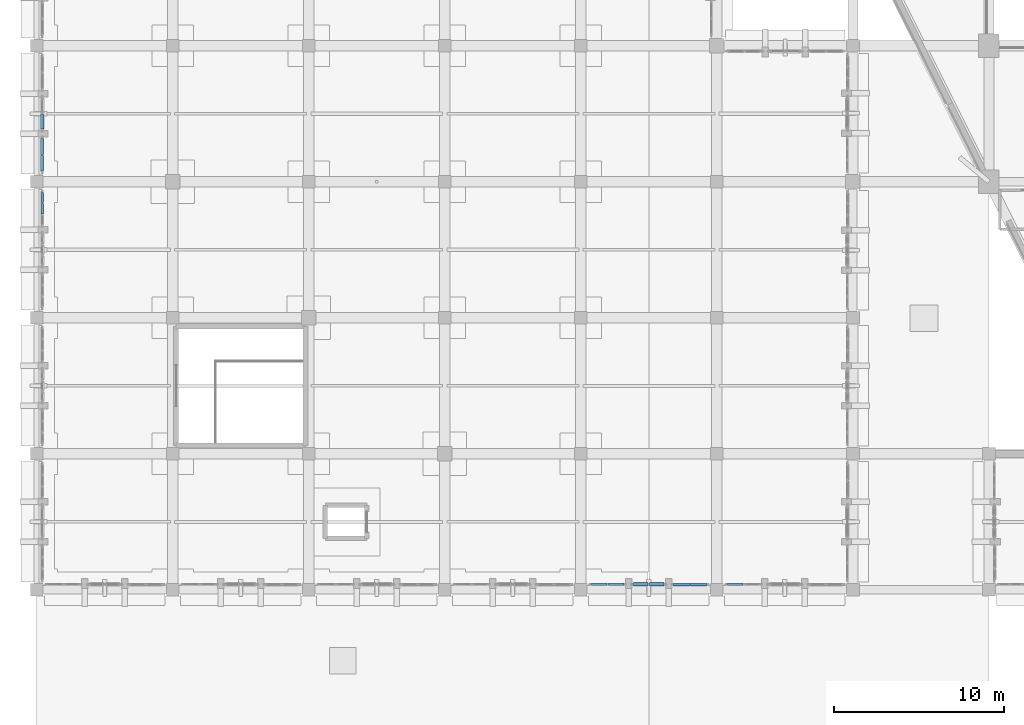
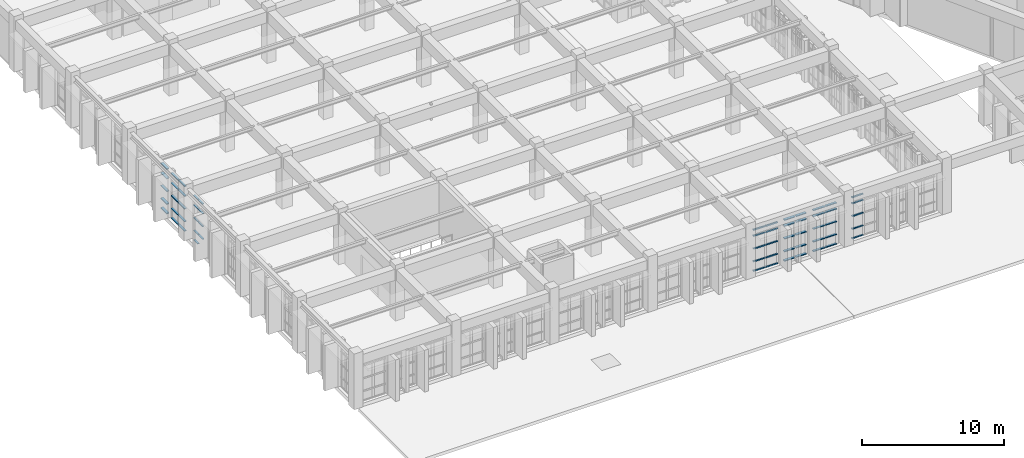
# One storey, part 50 of 155: 59 members, 7 elements without a shape of their own.
"""IFC4 building model written with IfcOpenShell, lengths in metres."""

from ifc_helpers import new_model, si_unit, direction, frame, origin, origin_2d, place, context, subcontext, project, spatial, rectangle, extrude, material, layer, layer_set, material_profile, profile_set, type_object, element, aggregate, save


model = new_model("IFC4")

# Units and contexts
model_context = context("Model", 3, precision=1e-05, world=origin(), true_north=direction((0.0, 1.0)))
body_context = subcontext(model_context, "Body", "Model", "MODEL_VIEW")
ifc_project = project(units=[si_unit("LENGTHUNIT", "METRE"), si_unit("AREAUNIT", "SQUARE_METRE"), si_unit("VOLUMEUNIT", "CUBIC_METRE"), si_unit("PLANEANGLEUNIT", "RADIAN"), si_unit("MASSUNIT", "GRAM", prefix="KILO")], contexts=[model_context])

# Site, building, storey
site_placement = place(None, origin())
site = spatial("IfcSite", under=ifc_project, at=site_placement, CompositionType="ELEMENT")
building_placement = place(site_placement, origin())
building = spatial("IfcBuilding", under=site, at=building_placement, Name="Tazarka Park Arena", CompositionType="ELEMENT")
storey_placement = place(building_placement, frame((0.0, 0.0, 5.39990234375)))
storey = spatial("IfcBuildingStorey", under=building, at=storey_placement, Name="L01", CompositionType="ELEMENT", Elevation=5.39990234375)

# Curtain wall, members
ifc_material_1 = material(Name="Aluminium and low-e glass", Category="aluminium")
ifc_layer_1 = layer(ifc_material_1, 0.179931640625, Name="Aluminium and low-e glass")
ifc_layer_set_1 = layer_set([ifc_layer_1], Name="Aluminium and low-e glass")
curtain_wall_type_1 = type_object("IfcCurtainWallType", Name="CW-03", PredefinedType="NOTDEFINED", material=ifc_layer_set_1)
curtain_wall_1_placement = place(storey_placement, origin())
curtain_wall_1 = element("IfcCurtainWall", 1, at=curtain_wall_1_placement, inside=storey, type_object=curtain_wall_type_1, Name="Curtain Wall CWA-L01-063", PredefinedType="NOTDEFINED")
ifc_material_2 = material(Name="Aluminium 6060-T66", Category="aluminium")
ifc_material_profile_1 = material_profile(ifc_material_2, rectangle(XDim=0.139892578125, YDim=0.06494140625, at=origin_2d()), Name="Aluminium 6060-T66")
ifc_profile_set_1 = profile_set([ifc_material_profile_1], Name="Aluminium 6060-T66")
member_type_1 = type_object("IfcMemberType", Name="CWT-01", PredefinedType="USERDEFINED", material=ifc_profile_set_1)
member_1_placement = place(storey_placement, frame((0.320068359375, 30.108642578125, 0.85009765625), z_axis=(0.0, 1.0, 0.0), x_axis=(-1.0, 0.0, 0.0)))
member_1 = element("IfcMember", 2, at=member_1_placement, type_object=member_type_1, Name="CW-03 transom 2.2", ObjectType="TRANSOM", PredefinedType="USERDEFINED", context=body_context, shape_type="SweptSolid", body=[
    extrude(rectangle(XDim=0.139892578125, YDim=0.06494140625, at=origin_2d()), origin(), (0.0, 0.0, 1.0), 0.619384765625),
])
member_2_placement = place(storey_placement, frame((0.320068359375, 30.108642578125, 1.9501953125), z_axis=(0.0, 1.0, 0.0), x_axis=(-1.0, 0.0, 0.0)))
member_2 = element("IfcMember", 3, at=member_2_placement, type_object=member_type_1, Name="CW-03 transom 2.3", ObjectType="TRANSOM", PredefinedType="USERDEFINED", context=body_context, shape_type="SweptSolid", body=[
    extrude(rectangle(XDim=0.139892578125, YDim=0.06494140625, at=origin_2d()), origin(), (0.0, 0.0, 1.0), 0.619384765625),
])
member_3_placement = place(storey_placement, frame((0.320068359375, 30.108642578125, 3.050048828125), z_axis=(0.0, 1.0, 0.0), x_axis=(-1.0, 0.0, 0.0)))
member_3 = element("IfcMember", 4, at=member_3_placement, type_object=member_type_1, Name="CW-03 transom 2.4", ObjectType="TRANSOM", PredefinedType="USERDEFINED", context=body_context, shape_type="SweptSolid", body=[
    extrude(rectangle(XDim=0.139892578125, YDim=0.06494140625, at=origin_2d()), origin(), (0.0, 0.0, 1.0), 0.619384765625),
])
member_4_placement = place(storey_placement, frame((0.320068359375, 30.108642578125, 3.877685546875), z_axis=(0.0, 1.0, 0.0), x_axis=(-1.0, 0.0, 0.0)))
member_4 = element("IfcMember", 5, at=member_4_placement, type_object=member_type_1, Name="CW-03 transom 2.5", ObjectType="TRANSOM", PredefinedType="USERDEFINED", context=body_context, shape_type="SweptSolid", body=[
    extrude(rectangle(XDim=0.139892578125, YDim=0.06494140625, at=origin_2d()), origin(), (0.0, 0.0, 1.0), 0.619384765625),
])
member_5_placement = place(storey_placement, frame((0.320068359375, 30.79296875, 0.03271484375), z_axis=(0.0, 1.0, 0.0), x_axis=(-1.0, 0.0, 0.0)))
member_5 = element("IfcMember", 6, at=member_5_placement, type_object=member_type_1, Name="CW-03 transom 3.1", ObjectType="TRANSOM", PredefinedType="USERDEFINED", context=body_context, shape_type="SweptSolid", body=[
    extrude(rectangle(XDim=0.139892578125, YDim=0.06494140625, at=origin_2d()), origin(), (0.0, 0.0, 1.0), 0.5869140625),
])
member_6_placement = place(storey_placement, frame((0.320068359375, 30.79296875, 0.85009765625), z_axis=(0.0, 1.0, 0.0), x_axis=(-1.0, 0.0, 0.0)))
member_6 = element("IfcMember", 7, at=member_6_placement, type_object=member_type_1, Name="CW-03 transom 3.2", ObjectType="TRANSOM", PredefinedType="USERDEFINED", context=body_context, shape_type="SweptSolid", body=[
    extrude(rectangle(XDim=0.139892578125, YDim=0.06494140625, at=origin_2d()), origin(), (0.0, 0.0, 1.0), 0.5869140625),
])
member_7_placement = place(storey_placement, frame((0.320068359375, 30.79296875, 1.9501953125), z_axis=(0.0, 1.0, 0.0), x_axis=(-1.0, 0.0, 0.0)))
member_7 = element("IfcMember", 8, at=member_7_placement, type_object=member_type_1, Name="CW-03 transom 3.3", ObjectType="TRANSOM", PredefinedType="USERDEFINED", context=body_context, shape_type="SweptSolid", body=[
    extrude(rectangle(XDim=0.139892578125, YDim=0.06494140625, at=origin_2d()), origin(), (0.0, 0.0, 1.0), 0.5869140625),
])
member_8_placement = place(storey_placement, frame((0.320068359375, 30.79296875, 3.050048828125), z_axis=(0.0, 1.0, 0.0), x_axis=(-1.0, 0.0, 0.0)))
member_8 = element("IfcMember", 9, at=member_8_placement, type_object=member_type_1, Name="CW-03 transom 3.4", ObjectType="TRANSOM", PredefinedType="USERDEFINED", context=body_context, shape_type="SweptSolid", body=[
    extrude(rectangle(XDim=0.139892578125, YDim=0.06494140625, at=origin_2d()), origin(), (0.0, 0.0, 1.0), 0.5869140625),
])
member_9_placement = place(storey_placement, frame((0.320068359375, 30.79296875, 3.877685546875), z_axis=(0.0, 1.0, 0.0), x_axis=(-1.0, 0.0, 0.0)))
member_9 = element("IfcMember", 10, at=member_9_placement, type_object=member_type_1, Name="CW-03 transom 3.5", ObjectType="TRANSOM", PredefinedType="USERDEFINED", context=body_context, shape_type="SweptSolid", body=[
    extrude(rectangle(XDim=0.139892578125, YDim=0.06494140625, at=origin_2d()), origin(), (0.0, 0.0, 1.0), 0.5869140625),
])
aggregate(curtain_wall_1, [member_1, member_2, member_3, member_4, member_5, member_6, member_7, member_8, member_9])

ifc_material_3 = material(Name="Aluminium and low-e glass", Category="aluminium")
ifc_layer_2 = layer(ifc_material_3, 0.179931640625, Name="Aluminium and low-e glass")
ifc_layer_set_2 = layer_set([ifc_layer_2], Name="Aluminium and low-e glass")
curtain_wall_type_2 = type_object("IfcCurtainWallType", Name="CW-24", PredefinedType="NOTDEFINED", material=ifc_layer_set_2)
curtain_wall_2_placement = place(storey_placement, origin())
curtain_wall_2 = element("IfcCurtainWall", 11, at=curtain_wall_2_placement, inside=storey, type_object=curtain_wall_type_2, Name="Curtain Wall CWA-L01-084", PredefinedType="NOTDEFINED")
member_10_placement = place(storey_placement, frame((34.543212890625, 8.320068359375, 0.03271484375), z_axis=(-1.0, 0.0, 0.0), x_axis=(0.0, -1.0, 0.0)))
member_10 = element("IfcMember", 12, at=member_10_placement, type_object=member_type_1, Name="CW-24 transom 1.1", ObjectType="TRANSOM", PredefinedType="USERDEFINED", context=body_context, shape_type="SweptSolid", body=[
    extrude(rectangle(XDim=0.139892578125, YDim=0.06494140625, at=origin_2d()), origin(), (0.0, 0.0, 1.0), 0.928955078125),
])
member_11_placement = place(storey_placement, frame((34.543212890625, 8.320068359375, 0.85009765625), z_axis=(-1.0, 0.0, 0.0), x_axis=(0.0, -1.0, 0.0)))
member_11 = element("IfcMember", 13, at=member_11_placement, type_object=member_type_1, Name="CW-24 transom 1.2", ObjectType="TRANSOM", PredefinedType="USERDEFINED", context=body_context, shape_type="SweptSolid", body=[
    extrude(rectangle(XDim=0.139892578125, YDim=0.06494140625, at=origin_2d()), origin(), (0.0, 0.0, 1.0), 0.928955078125),
])
member_12_placement = place(storey_placement, frame((34.543212890625, 8.320068359375, 1.9501953125), z_axis=(-1.0, 0.0, 0.0), x_axis=(0.0, -1.0, 0.0)))
member_12 = element("IfcMember", 14, at=member_12_placement, type_object=member_type_1, Name="CW-24 transom 1.3", ObjectType="TRANSOM", PredefinedType="USERDEFINED", context=body_context, shape_type="SweptSolid", body=[
    extrude(rectangle(XDim=0.139892578125, YDim=0.06494140625, at=origin_2d()), origin(), (0.0, 0.0, 1.0), 0.928955078125),
])
member_13_placement = place(storey_placement, frame((34.543212890625, 8.320068359375, 3.050048828125), z_axis=(-1.0, 0.0, 0.0), x_axis=(0.0, -1.0, 0.0)))
member_13 = element("IfcMember", 15, at=member_13_placement, type_object=member_type_1, Name="CW-24 transom 1.4", ObjectType="TRANSOM", PredefinedType="USERDEFINED", context=body_context, shape_type="SweptSolid", body=[
    extrude(rectangle(XDim=0.139892578125, YDim=0.06494140625, at=origin_2d()), origin(), (0.0, 0.0, 1.0), 0.928955078125),
])
member_14_placement = place(storey_placement, frame((34.543212890625, 8.320068359375, 3.567626953125), z_axis=(-1.0, 0.0, 0.0), x_axis=(0.0, -1.0, 0.0)))
member_14 = element("IfcMember", 16, at=member_14_placement, type_object=member_type_1, Name="CW-24 transom 1.5", ObjectType="TRANSOM", PredefinedType="USERDEFINED", context=body_context, shape_type="SweptSolid", body=[
    extrude(rectangle(XDim=0.139892578125, YDim=0.06494140625, at=origin_2d()), origin(), (0.0, 0.0, 1.0), 0.928955078125),
])
member_15_placement = place(storey_placement, frame((33.549072265625, 8.320068359375, 0.03271484375), z_axis=(-1.0, 0.0, 0.0), x_axis=(0.0, -1.0, 0.0)))
member_15 = element("IfcMember", 17, at=member_15_placement, type_object=member_type_1, Name="CW-24 transom 2.1", ObjectType="TRANSOM", PredefinedType="USERDEFINED", context=body_context, shape_type="SweptSolid", body=[
    extrude(rectangle(XDim=0.139892578125, YDim=0.06494140625, at=origin_2d()), origin(), (0.0, 0.0, 1.0), 0.928955078125),
])
member_16_placement = place(storey_placement, frame((33.549072265625, 8.320068359375, 0.85009765625), z_axis=(-1.0, 0.0, 0.0), x_axis=(0.0, -1.0, 0.0)))
member_16 = element("IfcMember", 18, at=member_16_placement, type_object=member_type_1, Name="CW-24 transom 2.2", ObjectType="TRANSOM", PredefinedType="USERDEFINED", context=body_context, shape_type="SweptSolid", body=[
    extrude(rectangle(XDim=0.139892578125, YDim=0.06494140625, at=origin_2d()), origin(), (0.0, 0.0, 1.0), 0.928955078125),
])
member_17_placement = place(storey_placement, frame((33.549072265625, 8.320068359375, 1.9501953125), z_axis=(-1.0, 0.0, 0.0), x_axis=(0.0, -1.0, 0.0)))
member_17 = element("IfcMember", 19, at=member_17_placement, type_object=member_type_1, Name="CW-24 transom 2.3", ObjectType="TRANSOM", PredefinedType="USERDEFINED", context=body_context, shape_type="SweptSolid", body=[
    extrude(rectangle(XDim=0.139892578125, YDim=0.06494140625, at=origin_2d()), origin(), (0.0, 0.0, 1.0), 0.928955078125),
])
member_18_placement = place(storey_placement, frame((33.549072265625, 8.320068359375, 3.050048828125), z_axis=(-1.0, 0.0, 0.0), x_axis=(0.0, -1.0, 0.0)))
member_18 = element("IfcMember", 20, at=member_18_placement, type_object=member_type_1, Name="CW-24 transom 2.4", ObjectType="TRANSOM", PredefinedType="USERDEFINED", context=body_context, shape_type="SweptSolid", body=[
    extrude(rectangle(XDim=0.139892578125, YDim=0.06494140625, at=origin_2d()), origin(), (0.0, 0.0, 1.0), 0.928955078125),
])
member_19_placement = place(storey_placement, frame((33.549072265625, 8.320068359375, 3.567626953125), z_axis=(-1.0, 0.0, 0.0), x_axis=(0.0, -1.0, 0.0)))
member_19 = element("IfcMember", 21, at=member_19_placement, type_object=member_type_1, Name="CW-24 transom 2.5", ObjectType="TRANSOM", PredefinedType="USERDEFINED", context=body_context, shape_type="SweptSolid", body=[
    extrude(rectangle(XDim=0.139892578125, YDim=0.06494140625, at=origin_2d()), origin(), (0.0, 0.0, 1.0), 0.928955078125),
])
aggregate(curtain_wall_2, [member_10, member_11, member_12, member_13, member_14, member_15, member_16, member_17, member_18, member_19])

ifc_material_4 = material(Name="Aluminium and low-e glass", Category="aluminium")
ifc_layer_3 = layer(ifc_material_4, 0.179931640625, Name="Aluminium and low-e glass")
ifc_layer_set_3 = layer_set([ifc_layer_3], Name="Aluminium and low-e glass")
curtain_wall_type_3 = type_object("IfcCurtainWallType", Name="CW-27", PredefinedType="NOTDEFINED", material=ifc_layer_set_3)
curtain_wall_3_placement = place(storey_placement, origin())
curtain_wall_3 = element("IfcCurtainWall", 22, at=curtain_wall_3_placement, inside=storey, type_object=curtain_wall_type_3, Name="Curtain Wall CWA-L01-087", PredefinedType="NOTDEFINED")
member_20_placement = place(storey_placement, frame((41.549072265625, 8.320068359375, 0.03271484375), z_axis=(-1.0, 0.0, 0.0), x_axis=(0.0, -1.0, 0.0)))
member_20 = element("IfcMember", 23, at=member_20_placement, type_object=member_type_1, Name="CW-27 transom 2.1", ObjectType="TRANSOM", PredefinedType="USERDEFINED", context=body_context, shape_type="SweptSolid", body=[
    extrude(rectangle(XDim=0.139892578125, YDim=0.06494140625, at=origin_2d()), origin(), (0.0, 0.0, 1.0), 0.928955078125),
])
member_21_placement = place(storey_placement, frame((41.549072265625, 8.320068359375, 0.85009765625), z_axis=(-1.0, 0.0, 0.0), x_axis=(0.0, -1.0, 0.0)))
member_21 = element("IfcMember", 24, at=member_21_placement, type_object=member_type_1, Name="CW-27 transom 2.2", ObjectType="TRANSOM", PredefinedType="USERDEFINED", context=body_context, shape_type="SweptSolid", body=[
    extrude(rectangle(XDim=0.139892578125, YDim=0.06494140625, at=origin_2d()), origin(), (0.0, 0.0, 1.0), 0.928955078125),
])
member_22_placement = place(storey_placement, frame((41.549072265625, 8.320068359375, 1.9501953125), z_axis=(-1.0, 0.0, 0.0), x_axis=(0.0, -1.0, 0.0)))
member_22 = element("IfcMember", 25, at=member_22_placement, type_object=member_type_1, Name="CW-27 transom 2.3", ObjectType="TRANSOM", PredefinedType="USERDEFINED", context=body_context, shape_type="SweptSolid", body=[
    extrude(rectangle(XDim=0.139892578125, YDim=0.06494140625, at=origin_2d()), origin(), (0.0, 0.0, 1.0), 0.928955078125),
])
member_23_placement = place(storey_placement, frame((41.549072265625, 8.320068359375, 3.050048828125), z_axis=(-1.0, 0.0, 0.0), x_axis=(0.0, -1.0, 0.0)))
member_23 = element("IfcMember", 26, at=member_23_placement, type_object=member_type_1, Name="CW-27 transom 2.4", ObjectType="TRANSOM", PredefinedType="USERDEFINED", context=body_context, shape_type="SweptSolid", body=[
    extrude(rectangle(XDim=0.139892578125, YDim=0.06494140625, at=origin_2d()), origin(), (0.0, 0.0, 1.0), 0.928955078125),
])
member_24_placement = place(storey_placement, frame((41.549072265625, 8.320068359375, 3.567626953125), z_axis=(-1.0, 0.0, 0.0), x_axis=(0.0, -1.0, 0.0)))
member_24 = element("IfcMember", 27, at=member_24_placement, type_object=member_type_1, Name="CW-27 transom 2.5", ObjectType="TRANSOM", PredefinedType="USERDEFINED", context=body_context, shape_type="SweptSolid", body=[
    extrude(rectangle(XDim=0.139892578125, YDim=0.06494140625, at=origin_2d()), origin(), (0.0, 0.0, 1.0), 0.928955078125),
])
aggregate(curtain_wall_3, [member_20, member_21, member_22, member_23, member_24])

ifc_material_5 = material(Name="Aluminium and low-e glass", Category="aluminium")
ifc_layer_4 = layer(ifc_material_5, 0.179931640625, Name="Aluminium and low-e glass")
ifc_layer_set_4 = layer_set([ifc_layer_4], Name="Aluminium and low-e glass")
curtain_wall_type_4 = type_object("IfcCurtainWallType", Name="CW-22", PredefinedType="NOTDEFINED", material=ifc_layer_set_4)
curtain_wall_4_placement = place(storey_placement, origin())
curtain_wall_4 = element("IfcCurtainWall", 28, at=curtain_wall_4_placement, inside=storey, type_object=curtain_wall_type_4, Name="Curtain Wall CWA-L01-082", PredefinedType="NOTDEFINED")
ifc_material_6 = material(Name="Aluminium 6060-T66", Category="aluminium")
ifc_material_profile_2 = material_profile(ifc_material_6, rectangle(XDim=0.179931640625, YDim=0.06494140625, at=origin_2d()), Name="Aluminium 6060-T66")
ifc_profile_set_2 = profile_set([ifc_material_profile_2], Name="Aluminium 6060-T66")
member_type_2 = type_object("IfcMemberType", Name="CWT-02", PredefinedType="USERDEFINED", material=ifc_profile_set_2)
member_25_placement = place(storey_placement, frame((39.3798828125, 8.320068359375, 0.03271484375), z_axis=(-1.0, 0.0, 0.0), x_axis=(0.0, -1.0, 0.0)))
member_25 = element("IfcMember", 29, at=member_25_placement, type_object=member_type_2, Name="CW-22 transom 1.1", ObjectType="TRANSOM", PredefinedType="USERDEFINED", context=body_context, shape_type="SweptSolid", body=[
    extrude(rectangle(XDim=0.179931640625, YDim=0.06494140625, at=origin_2d()), origin(), (0.0, 0.0, 1.0), 0.928955078125),
])
member_26_placement = place(storey_placement, frame((39.3798828125, 8.320068359375, 0.85009765625), z_axis=(-1.0, 0.0, 0.0), x_axis=(0.0, -1.0, 0.0)))
member_26 = element("IfcMember", 30, at=member_26_placement, type_object=member_type_2, Name="CW-22 transom 1.2", ObjectType="TRANSOM", PredefinedType="USERDEFINED", context=body_context, shape_type="SweptSolid", body=[
    extrude(rectangle(XDim=0.179931640625, YDim=0.06494140625, at=origin_2d()), origin(), (0.0, 0.0, 1.0), 0.928955078125),
])
member_27_placement = place(storey_placement, frame((39.3798828125, 8.320068359375, 1.9501953125), z_axis=(-1.0, 0.0, 0.0), x_axis=(0.0, -1.0, 0.0)))
member_27 = element("IfcMember", 31, at=member_27_placement, type_object=member_type_2, Name="CW-22 transom 1.3", ObjectType="TRANSOM", PredefinedType="USERDEFINED", context=body_context, shape_type="SweptSolid", body=[
    extrude(rectangle(XDim=0.179931640625, YDim=0.06494140625, at=origin_2d()), origin(), (0.0, 0.0, 1.0), 0.928955078125),
])
member_28_placement = place(storey_placement, frame((39.3798828125, 8.320068359375, 3.050048828125), z_axis=(-1.0, 0.0, 0.0), x_axis=(0.0, -1.0, 0.0)))
member_28 = element("IfcMember", 32, at=member_28_placement, type_object=member_type_2, Name="CW-22 transom 1.4", ObjectType="TRANSOM", PredefinedType="USERDEFINED", context=body_context, shape_type="SweptSolid", body=[
    extrude(rectangle(XDim=0.179931640625, YDim=0.06494140625, at=origin_2d()), origin(), (0.0, 0.0, 1.0), 0.928955078125),
])
member_29_placement = place(storey_placement, frame((39.3798828125, 8.320068359375, 3.567626953125), z_axis=(-1.0, 0.0, 0.0), x_axis=(0.0, -1.0, 0.0)))
member_29 = element("IfcMember", 33, at=member_29_placement, type_object=member_type_2, Name="CW-22 transom 1.5", ObjectType="TRANSOM", PredefinedType="USERDEFINED", context=body_context, shape_type="SweptSolid", body=[
    extrude(rectangle(XDim=0.179931640625, YDim=0.06494140625, at=origin_2d()), origin(), (0.0, 0.0, 1.0), 0.928955078125),
])
member_30_placement = place(storey_placement, frame((38.3857421875, 8.320068359375, 0.03271484375), z_axis=(-1.0, 0.0, 0.0), x_axis=(0.0, -1.0, 0.0)))
member_30 = element("IfcMember", 34, at=member_30_placement, type_object=member_type_2, Name="CW-22 transom 2.1", ObjectType="TRANSOM", PredefinedType="USERDEFINED", context=body_context, shape_type="SweptSolid", body=[
    extrude(rectangle(XDim=0.179931640625, YDim=0.06494140625, at=origin_2d()), origin(), (0.0, 0.0, 1.0), 0.928955078125),
])
member_31_placement = place(storey_placement, frame((38.3857421875, 8.320068359375, 0.85009765625), z_axis=(-1.0, 0.0, 0.0), x_axis=(0.0, -1.0, 0.0)))
member_31 = element("IfcMember", 35, at=member_31_placement, type_object=member_type_2, Name="CW-22 transom 2.2", ObjectType="TRANSOM", PredefinedType="USERDEFINED", context=body_context, shape_type="SweptSolid", body=[
    extrude(rectangle(XDim=0.179931640625, YDim=0.06494140625, at=origin_2d()), origin(), (0.0, 0.0, 1.0), 0.928955078125),
])
member_32_placement = place(storey_placement, frame((38.3857421875, 8.320068359375, 1.9501953125), z_axis=(-1.0, 0.0, 0.0), x_axis=(0.0, -1.0, 0.0)))
member_32 = element("IfcMember", 36, at=member_32_placement, type_object=member_type_2, Name="CW-22 transom 2.3", ObjectType="TRANSOM", PredefinedType="USERDEFINED", context=body_context, shape_type="SweptSolid", body=[
    extrude(rectangle(XDim=0.179931640625, YDim=0.06494140625, at=origin_2d()), origin(), (0.0, 0.0, 1.0), 0.928955078125),
])
member_33_placement = place(storey_placement, frame((38.3857421875, 8.320068359375, 3.050048828125), z_axis=(-1.0, 0.0, 0.0), x_axis=(0.0, -1.0, 0.0)))
member_33 = element("IfcMember", 37, at=member_33_placement, type_object=member_type_2, Name="CW-22 transom 2.4", ObjectType="TRANSOM", PredefinedType="USERDEFINED", context=body_context, shape_type="SweptSolid", body=[
    extrude(rectangle(XDim=0.179931640625, YDim=0.06494140625, at=origin_2d()), origin(), (0.0, 0.0, 1.0), 0.928955078125),
])
member_34_placement = place(storey_placement, frame((38.3857421875, 8.320068359375, 3.567626953125), z_axis=(-1.0, 0.0, 0.0), x_axis=(0.0, -1.0, 0.0)))
member_34 = element("IfcMember", 38, at=member_34_placement, type_object=member_type_2, Name="CW-22 transom 2.5", ObjectType="TRANSOM", PredefinedType="USERDEFINED", context=body_context, shape_type="SweptSolid", body=[
    extrude(rectangle(XDim=0.179931640625, YDim=0.06494140625, at=origin_2d()), origin(), (0.0, 0.0, 1.0), 0.928955078125),
])
aggregate(curtain_wall_4, [member_25, member_26, member_27, member_28, member_29, member_30, member_31, member_32, member_33, member_34])

ifc_material_7 = material(Name="Aluminium and low-e glass", Category="aluminium")
ifc_layer_5 = layer(ifc_material_7, 0.179931640625, Name="Aluminium and low-e glass")
ifc_layer_set_5 = layer_set([ifc_layer_5], Name="Aluminium and low-e glass")
curtain_wall_type_5 = type_object("IfcCurtainWallType", Name="CW-25", PredefinedType="NOTDEFINED", material=ifc_layer_set_5)
curtain_wall_5_placement = place(storey_placement, origin())
curtain_wall_5 = element("IfcCurtainWall", 39, at=curtain_wall_5_placement, inside=storey, type_object=curtain_wall_type_5, Name="Curtain Wall CWA-L01-145", PredefinedType="NOTDEFINED")
member_35_placement = place(storey_placement, frame((0.320068359375, 32.6201171875, 0.03271484375), z_axis=(0.0, 1.0, 0.0), x_axis=(-1.0, 0.0, 0.0)))
member_35 = element("IfcMember", 40, at=member_35_placement, type_object=member_type_2, Name="CW-25 transom 1.1", ObjectType="TRANSOM", PredefinedType="USERDEFINED", context=body_context, shape_type="SweptSolid", body=[
    extrude(rectangle(XDim=0.179931640625, YDim=0.06494140625, at=origin_2d()), origin(), (0.0, 0.0, 1.0), 0.928955078125),
])
member_36_placement = place(storey_placement, frame((0.320068359375, 32.6201171875, 0.85009765625), z_axis=(0.0, 1.0, 0.0), x_axis=(-1.0, 0.0, 0.0)))
member_36 = element("IfcMember", 41, at=member_36_placement, type_object=member_type_2, Name="CW-25 transom 1.2", ObjectType="TRANSOM", PredefinedType="USERDEFINED", context=body_context, shape_type="SweptSolid", body=[
    extrude(rectangle(XDim=0.179931640625, YDim=0.06494140625, at=origin_2d()), origin(), (0.0, 0.0, 1.0), 0.928955078125),
])
member_37_placement = place(storey_placement, frame((0.320068359375, 32.6201171875, 1.9501953125), z_axis=(0.0, 1.0, 0.0), x_axis=(-1.0, 0.0, 0.0)))
member_37 = element("IfcMember", 42, at=member_37_placement, type_object=member_type_2, Name="CW-25 transom 1.3", ObjectType="TRANSOM", PredefinedType="USERDEFINED", context=body_context, shape_type="SweptSolid", body=[
    extrude(rectangle(XDim=0.179931640625, YDim=0.06494140625, at=origin_2d()), origin(), (0.0, 0.0, 1.0), 0.928955078125),
])
member_38_placement = place(storey_placement, frame((0.320068359375, 32.6201171875, 3.050048828125), z_axis=(0.0, 1.0, 0.0), x_axis=(-1.0, 0.0, 0.0)))
member_38 = element("IfcMember", 43, at=member_38_placement, type_object=member_type_2, Name="CW-25 transom 1.4", ObjectType="TRANSOM", PredefinedType="USERDEFINED", context=body_context, shape_type="SweptSolid", body=[
    extrude(rectangle(XDim=0.179931640625, YDim=0.06494140625, at=origin_2d()), origin(), (0.0, 0.0, 1.0), 0.928955078125),
])
member_39_placement = place(storey_placement, frame((0.320068359375, 32.6201171875, 3.877685546875), z_axis=(0.0, 1.0, 0.0), x_axis=(-1.0, 0.0, 0.0)))
member_39 = element("IfcMember", 44, at=member_39_placement, type_object=member_type_2, Name="CW-25 transom 1.5", ObjectType="TRANSOM", PredefinedType="USERDEFINED", context=body_context, shape_type="SweptSolid", body=[
    extrude(rectangle(XDim=0.179931640625, YDim=0.06494140625, at=origin_2d()), origin(), (0.0, 0.0, 1.0), 0.928955078125),
])
member_40_placement = place(storey_placement, frame((0.320068359375, 33.6142578125, 0.03271484375), z_axis=(0.0, 1.0, 0.0), x_axis=(-1.0, 0.0, 0.0)))
member_40 = element("IfcMember", 45, at=member_40_placement, type_object=member_type_2, Name="CW-25 transom 2.1", ObjectType="TRANSOM", PredefinedType="USERDEFINED", context=body_context, shape_type="SweptSolid", body=[
    extrude(rectangle(XDim=0.179931640625, YDim=0.06494140625, at=origin_2d()), origin(), (0.0, 0.0, 1.0), 0.928955078125),
])
member_41_placement = place(storey_placement, frame((0.320068359375, 33.6142578125, 0.85009765625), z_axis=(0.0, 1.0, 0.0), x_axis=(-1.0, 0.0, 0.0)))
member_41 = element("IfcMember", 46, at=member_41_placement, type_object=member_type_2, Name="CW-25 transom 2.2", ObjectType="TRANSOM", PredefinedType="USERDEFINED", context=body_context, shape_type="SweptSolid", body=[
    extrude(rectangle(XDim=0.179931640625, YDim=0.06494140625, at=origin_2d()), origin(), (0.0, 0.0, 1.0), 0.928955078125),
])
member_42_placement = place(storey_placement, frame((0.320068359375, 33.6142578125, 1.9501953125), z_axis=(0.0, 1.0, 0.0), x_axis=(-1.0, 0.0, 0.0)))
member_42 = element("IfcMember", 47, at=member_42_placement, type_object=member_type_2, Name="CW-25 transom 2.3", ObjectType="TRANSOM", PredefinedType="USERDEFINED", context=body_context, shape_type="SweptSolid", body=[
    extrude(rectangle(XDim=0.179931640625, YDim=0.06494140625, at=origin_2d()), origin(), (0.0, 0.0, 1.0), 0.928955078125),
])
member_43_placement = place(storey_placement, frame((0.320068359375, 33.6142578125, 3.050048828125), z_axis=(0.0, 1.0, 0.0), x_axis=(-1.0, 0.0, 0.0)))
member_43 = element("IfcMember", 48, at=member_43_placement, type_object=member_type_2, Name="CW-25 transom 2.4", ObjectType="TRANSOM", PredefinedType="USERDEFINED", context=body_context, shape_type="SweptSolid", body=[
    extrude(rectangle(XDim=0.179931640625, YDim=0.06494140625, at=origin_2d()), origin(), (0.0, 0.0, 1.0), 0.928955078125),
])
member_44_placement = place(storey_placement, frame((0.320068359375, 33.6142578125, 3.877685546875), z_axis=(0.0, 1.0, 0.0), x_axis=(-1.0, 0.0, 0.0)))
member_44 = element("IfcMember", 49, at=member_44_placement, type_object=member_type_2, Name="CW-25 transom 2.5", ObjectType="TRANSOM", PredefinedType="USERDEFINED", context=body_context, shape_type="SweptSolid", body=[
    extrude(rectangle(XDim=0.179931640625, YDim=0.06494140625, at=origin_2d()), origin(), (0.0, 0.0, 1.0), 0.928955078125),
])
aggregate(curtain_wall_5, [member_35, member_36, member_37, member_38, member_39, member_40, member_41, member_42, member_43, member_44])

ifc_material_8 = material(Name="Aluminium and low-e glass", Category="aluminium")
ifc_layer_6 = layer(ifc_material_8, 0.179931640625, Name="Aluminium and low-e glass")
ifc_layer_set_6 = layer_set([ifc_layer_6], Name="Aluminium and low-e glass")
curtain_wall_type_6 = type_object("IfcCurtainWallType", Name="CW-23", PredefinedType="NOTDEFINED", material=ifc_layer_set_6)
curtain_wall_6_placement = place(storey_placement, origin())
curtain_wall_6 = element("IfcCurtainWall", 50, at=curtain_wall_6_placement, inside=storey, type_object=curtain_wall_type_6, Name="Curtain Wall CWA-L01-083", PredefinedType="NOTDEFINED")
ifc_material_9 = material(Name="Aluminium 6060-T66", Category="aluminium")
ifc_material_profile_3 = material_profile(ifc_material_9, rectangle(XDim=0.2099609375, YDim=0.074951171875, at=origin_2d()), Name="Aluminium 6060-T66")
ifc_profile_set_3 = profile_set([ifc_material_profile_3], Name="Aluminium 6060-T66")
member_type_3 = type_object("IfcMemberType", Name="CWT-03", PredefinedType="USERDEFINED", material=ifc_profile_set_3)
member_45_placement = place(storey_placement, frame((36.896728515625, 8.320068359375, 0.03759765625), z_axis=(-1.0, 0.0, 0.0), x_axis=(0.0, -1.0, 0.0)))
member_45 = element("IfcMember", 51, at=member_45_placement, type_object=member_type_3, Name="CW-23 transom 1.1", ObjectType="TRANSOM", PredefinedType="USERDEFINED", context=body_context, shape_type="SweptSolid", body=[
    extrude(rectangle(XDim=0.2099609375, YDim=0.074951171875, at=origin_2d()), origin(), (0.0, 0.0, 1.0), 0.859130859375),
])
member_46_placement = place(storey_placement, frame((36.896728515625, 8.320068359375, 0.85009765625), z_axis=(-1.0, 0.0, 0.0), x_axis=(0.0, -1.0, 0.0)))
member_46 = element("IfcMember", 52, at=member_46_placement, type_object=member_type_3, Name="CW-23 transom 1.2", ObjectType="TRANSOM", PredefinedType="USERDEFINED", context=body_context, shape_type="SweptSolid", body=[
    extrude(rectangle(XDim=0.2099609375, YDim=0.074951171875, at=origin_2d()), origin(), (0.0, 0.0, 1.0), 0.859130859375),
])
member_47_placement = place(storey_placement, frame((36.896728515625, 8.320068359375, 1.9501953125), z_axis=(-1.0, 0.0, 0.0), x_axis=(0.0, -1.0, 0.0)))
member_47 = element("IfcMember", 53, at=member_47_placement, type_object=member_type_3, Name="CW-23 transom 1.3", ObjectType="TRANSOM", PredefinedType="USERDEFINED", context=body_context, shape_type="SweptSolid", body=[
    extrude(rectangle(XDim=0.2099609375, YDim=0.074951171875, at=origin_2d()), origin(), (0.0, 0.0, 1.0), 0.859130859375),
])
member_48_placement = place(storey_placement, frame((36.896728515625, 8.320068359375, 3.050048828125), z_axis=(-1.0, 0.0, 0.0), x_axis=(0.0, -1.0, 0.0)))
member_48 = element("IfcMember", 54, at=member_48_placement, type_object=member_type_3, Name="CW-23 transom 1.4", ObjectType="TRANSOM", PredefinedType="USERDEFINED", context=body_context, shape_type="SweptSolid", body=[
    extrude(rectangle(XDim=0.2099609375, YDim=0.074951171875, at=origin_2d()), origin(), (0.0, 0.0, 1.0), 0.859130859375),
])
member_49_placement = place(storey_placement, frame((36.896728515625, 8.320068359375, 3.5625), z_axis=(-1.0, 0.0, 0.0), x_axis=(0.0, -1.0, 0.0)))
member_49 = element("IfcMember", 55, at=member_49_placement, type_object=member_type_3, Name="CW-23 transom 1.5", ObjectType="TRANSOM", PredefinedType="USERDEFINED", context=body_context, shape_type="SweptSolid", body=[
    extrude(rectangle(XDim=0.2099609375, YDim=0.074951171875, at=origin_2d()), origin(), (0.0, 0.0, 1.0), 0.859130859375),
])
member_50_placement = place(storey_placement, frame((35.96240234375, 8.320068359375, 0.03759765625), z_axis=(-1.0, 0.0, 0.0), x_axis=(0.0, -1.0, 0.0)))
member_50 = element("IfcMember", 56, at=member_50_placement, type_object=member_type_3, Name="CW-23 transom 2.1", ObjectType="TRANSOM", PredefinedType="USERDEFINED", context=body_context, shape_type="SweptSolid", body=[
    extrude(rectangle(XDim=0.2099609375, YDim=0.074951171875, at=origin_2d()), origin(), (0.0, 0.0, 1.0), 0.859130859375),
])
member_51_placement = place(storey_placement, frame((35.96240234375, 8.320068359375, 0.85009765625), z_axis=(-1.0, 0.0, 0.0), x_axis=(0.0, -1.0, 0.0)))
member_51 = element("IfcMember", 57, at=member_51_placement, type_object=member_type_3, Name="CW-23 transom 2.2", ObjectType="TRANSOM", PredefinedType="USERDEFINED", context=body_context, shape_type="SweptSolid", body=[
    extrude(rectangle(XDim=0.2099609375, YDim=0.074951171875, at=origin_2d()), origin(), (0.0, 0.0, 1.0), 0.859130859375),
])
member_52_placement = place(storey_placement, frame((35.96240234375, 8.320068359375, 1.9501953125), z_axis=(-1.0, 0.0, 0.0), x_axis=(0.0, -1.0, 0.0)))
member_52 = element("IfcMember", 58, at=member_52_placement, type_object=member_type_3, Name="CW-23 transom 2.3", ObjectType="TRANSOM", PredefinedType="USERDEFINED", context=body_context, shape_type="SweptSolid", body=[
    extrude(rectangle(XDim=0.2099609375, YDim=0.074951171875, at=origin_2d()), origin(), (0.0, 0.0, 1.0), 0.859130859375),
])
member_53_placement = place(storey_placement, frame((35.96240234375, 8.320068359375, 3.050048828125), z_axis=(-1.0, 0.0, 0.0), x_axis=(0.0, -1.0, 0.0)))
member_53 = element("IfcMember", 59, at=member_53_placement, type_object=member_type_3, Name="CW-23 transom 2.4", ObjectType="TRANSOM", PredefinedType="USERDEFINED", context=body_context, shape_type="SweptSolid", body=[
    extrude(rectangle(XDim=0.2099609375, YDim=0.074951171875, at=origin_2d()), origin(), (0.0, 0.0, 1.0), 0.859130859375),
])
member_54_placement = place(storey_placement, frame((35.96240234375, 8.320068359375, 3.5625), z_axis=(-1.0, 0.0, 0.0), x_axis=(0.0, -1.0, 0.0)))
member_54 = element("IfcMember", 60, at=member_54_placement, type_object=member_type_3, Name="CW-23 transom 2.5", ObjectType="TRANSOM", PredefinedType="USERDEFINED", context=body_context, shape_type="SweptSolid", body=[
    extrude(rectangle(XDim=0.2099609375, YDim=0.074951171875, at=origin_2d()), origin(), (0.0, 0.0, 1.0), 0.859130859375),
])
aggregate(curtain_wall_6, [member_45, member_46, member_47, member_48, member_49, member_50, member_51, member_52, member_53, member_54])

ifc_material_10 = material(Name="Aluminium and low-e glass", Category="aluminium")
ifc_layer_7 = layer(ifc_material_10, 0.179931640625, Name="Aluminium and low-e glass")
ifc_layer_set_7 = layer_set([ifc_layer_7], Name="Aluminium and low-e glass")
curtain_wall_type_7 = type_object("IfcCurtainWallType", Name="CW-26", PredefinedType="NOTDEFINED", material=ifc_layer_set_7)
curtain_wall_7_placement = place(storey_placement, origin())
curtain_wall_7 = element("IfcCurtainWall", 61, at=curtain_wall_7_placement, inside=storey, type_object=curtain_wall_type_7, Name="Curtain Wall CWA-L01-146", PredefinedType="NOTDEFINED")
member_55_placement = place(storey_placement, frame((0.320068359375, 35.103271484375, 0.03759765625), z_axis=(0.0, 1.0, 0.0), x_axis=(-1.0, 0.0, 0.0)))
member_55 = element("IfcMember", 62, at=member_55_placement, type_object=member_type_3, Name="CW-26 transom 1.1", ObjectType="TRANSOM", PredefinedType="USERDEFINED", context=body_context, shape_type="SweptSolid", body=[
    extrude(rectangle(XDim=0.2099609375, YDim=0.074951171875, at=origin_2d()), origin(), (0.0, 0.0, 1.0), 0.859130859375),
])
member_56_placement = place(storey_placement, frame((0.320068359375, 35.103271484375, 0.85009765625), z_axis=(0.0, 1.0, 0.0), x_axis=(-1.0, 0.0, 0.0)))
member_56 = element("IfcMember", 63, at=member_56_placement, type_object=member_type_3, Name="CW-26 transom 1.2", ObjectType="TRANSOM", PredefinedType="USERDEFINED", context=body_context, shape_type="SweptSolid", body=[
    extrude(rectangle(XDim=0.2099609375, YDim=0.074951171875, at=origin_2d()), origin(), (0.0, 0.0, 1.0), 0.859130859375),
])
member_57_placement = place(storey_placement, frame((0.320068359375, 35.103271484375, 1.9501953125), z_axis=(0.0, 1.0, 0.0), x_axis=(-1.0, 0.0, 0.0)))
member_57 = element("IfcMember", 64, at=member_57_placement, type_object=member_type_3, Name="CW-26 transom 1.3", ObjectType="TRANSOM", PredefinedType="USERDEFINED", context=body_context, shape_type="SweptSolid", body=[
    extrude(rectangle(XDim=0.2099609375, YDim=0.074951171875, at=origin_2d()), origin(), (0.0, 0.0, 1.0), 0.859130859375),
])
member_58_placement = place(storey_placement, frame((0.320068359375, 35.103271484375, 3.050048828125), z_axis=(0.0, 1.0, 0.0), x_axis=(-1.0, 0.0, 0.0)))
member_58 = element("IfcMember", 65, at=member_58_placement, type_object=member_type_3, Name="CW-26 transom 1.4", ObjectType="TRANSOM", PredefinedType="USERDEFINED", context=body_context, shape_type="SweptSolid", body=[
    extrude(rectangle(XDim=0.2099609375, YDim=0.074951171875, at=origin_2d()), origin(), (0.0, 0.0, 1.0), 0.859130859375),
])
member_59_placement = place(storey_placement, frame((0.320068359375, 35.103271484375, 3.87255859375), z_axis=(0.0, 1.0, 0.0), x_axis=(-1.0, 0.0, 0.0)))
member_59 = element("IfcMember", 66, at=member_59_placement, type_object=member_type_3, Name="CW-26 transom 1.5", ObjectType="TRANSOM", PredefinedType="USERDEFINED", context=body_context, shape_type="SweptSolid", body=[
    extrude(rectangle(XDim=0.2099609375, YDim=0.074951171875, at=origin_2d()), origin(), (0.0, 0.0, 1.0), 0.859130859375),
])
aggregate(curtain_wall_7, [member_55, member_56, member_57, member_58, member_59])

save(model, "model.ifc")
